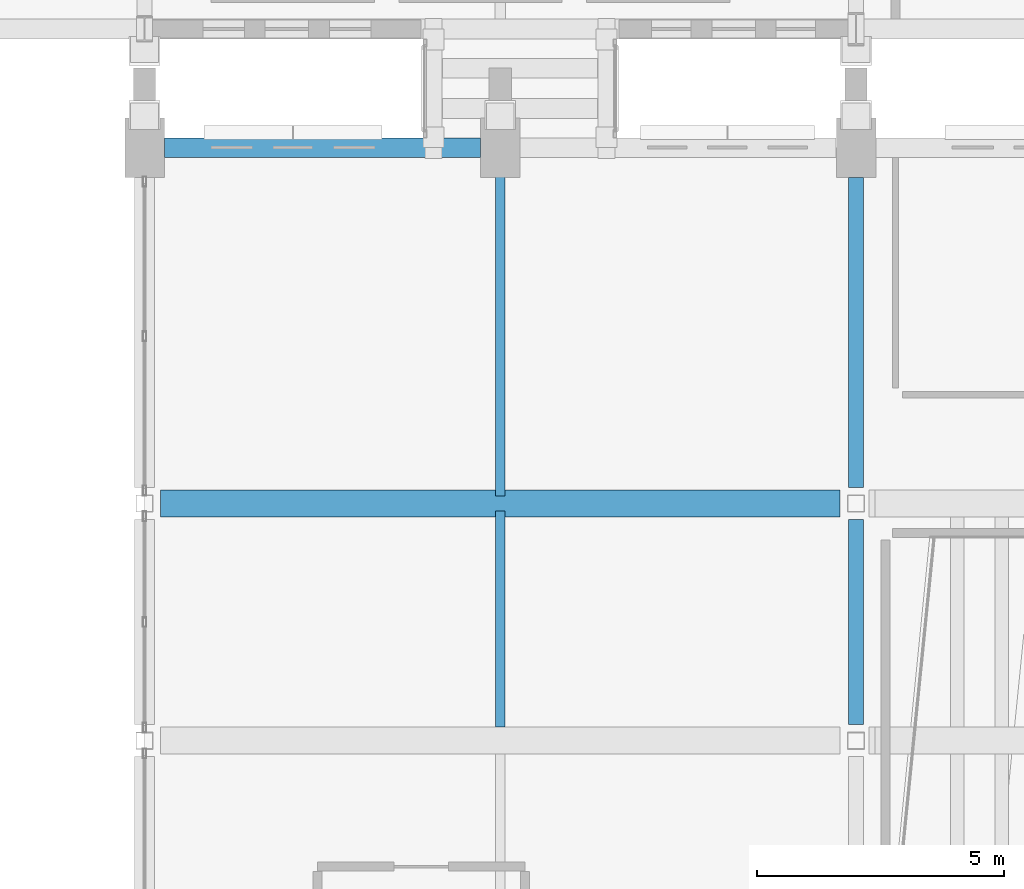
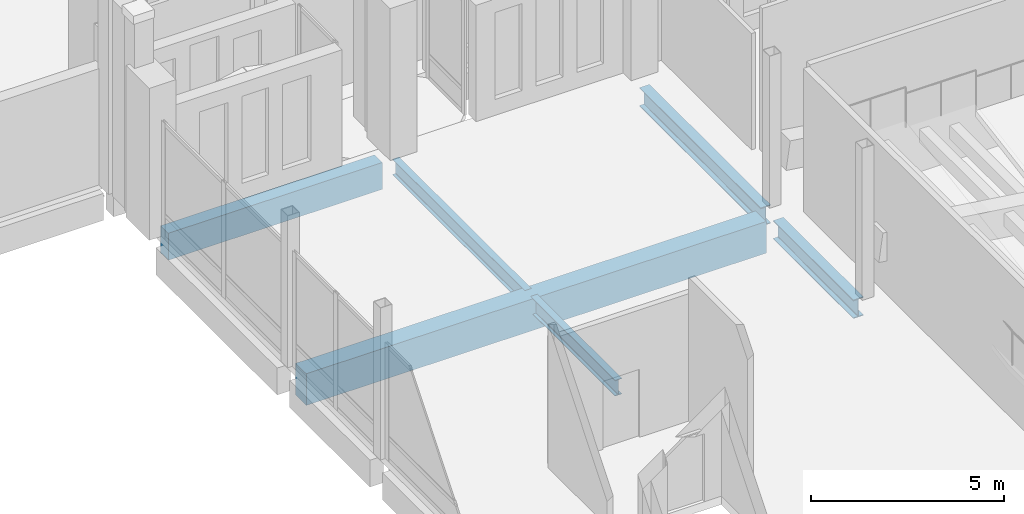
# One storey, part 86 of 193: 6 beams.
"""IFC4 building model written with IfcOpenShell, lengths in metres."""

import ifcopenshell
import ifcopenshell.guid

model = None  # the IFC model being written
_history = None  # IfcOwnerHistory: only IFC2X3 demands one
_inside = {}  # id of a spatial element -> (the spatial element, [elements in it])
_under = {}  # id of a project, library or spatial element -> (it, [spatial elements below it])
_declared = {}  # id of a project -> (the project, [libraries it declares])
_typed = {}  # id of a type object -> (the type object, [elements of that type])
_made_of = {}  # id of a material, layer set ... -> (it, [elements and type objects made of it])


def new_model(schema):
    """Start an empty IFC model of exactly this schema.

    Asked for "IFC4X3", IfcOpenShell would pick the latest addendum, in which some entities
    have other attributes; the version numbers below select the first issue.
    IFC2X3 requires an IfcOwnerHistory on every rooted entity: one is made here for all.
    """
    global model, _history
    if schema == "IFC4X3":
        model = ifcopenshell.file(schema_version=(4, 3, 0, 0))
    else:
        model = ifcopenshell.file(schema=schema)
    _inside.clear()
    _under.clear()
    _declared.clear()
    _typed.clear()
    _made_of.clear()
    _history = None
    if model.schema == "IFC2X3":
        org = make("IfcOrganization", Name="unknown")
        user = make(
            "IfcPersonAndOrganization",
            ThePerson=make("IfcPerson", FamilyName="unknown"),
            TheOrganization=org,
        )
        app = make(
            "IfcApplication",
            ApplicationDeveloper=org,
            Version="unknown",
            ApplicationFullName="unknown",
            ApplicationIdentifier="unknown",
        )
        _history = make(
            "IfcOwnerHistory",
            OwningUser=user,
            OwningApplication=app,
            ChangeAction="ADDED",
            CreationDate=0,
        )
    return model


def make(cls, **values):
    """One entity of the class cls with the attributes given. An attribute that is None is left unset."""
    return model.create_entity(
        cls, **{name: value for name, value in values.items() if value is not None}
    )


def rooted(cls, **values):
    """An entity with a GlobalId (a new one), such as an element, a storey or a relation."""
    return make(cls, GlobalId=ifcopenshell.guid.new(), OwnerHistory=_history, **values)


def si_unit(unit_type, name, prefix=None):
    """IfcSIUnit, for example si_unit("LENGTHUNIT", "METRE", prefix="MILLI")."""
    return make("IfcSIUnit", UnitType=unit_type, Prefix=prefix, Name=name)


def assignment(units):
    """IfcUnitAssignment: the units of a project."""
    return None if units is None else make("IfcUnitAssignment", Units=units)


def point(xyz):
    """IfcCartesianPoint."""
    return None if xyz is None else make("IfcCartesianPoint", Coordinates=xyz)


def direction(xyz):
    """IfcDirection."""
    return None if xyz is None else make("IfcDirection", DirectionRatios=xyz)


def frame(location, z_axis=None, x_axis=None):
    """IfcAxis2Placement3D, a coordinate frame: its origin and axes. An axis left out is left unset."""
    return make(
        "IfcAxis2Placement3D",
        Location=point(location),
        Axis=direction(z_axis),
        RefDirection=direction(x_axis),
    )


def frame_2d(location, x_axis=None):
    """IfcAxis2Placement2D, a coordinate frame in the plane: its origin and x axis."""
    return make(
        "IfcAxis2Placement2D", Location=point(location), RefDirection=direction(x_axis)
    )


def origin():
    """The frame at (0, 0, 0) with its axes left unset."""
    return frame((0.0, 0.0, 0.0))


def origin_2d():
    """The frame at (0, 0) in the plane with its x axis left unset."""
    return frame_2d((0.0, 0.0))


def place(relative_to, where):
    """IfcLocalPlacement: puts the frame where relative to a parent placement (None: the world)."""
    return make(
        "IfcLocalPlacement", PlacementRelTo=relative_to, RelativePlacement=where
    )


def context(
    kind, dimensions, precision=None, world=None, true_north=None, identifier=None
):
    """IfcGeometricRepresentationContext, for example the 3D "Model" context."""
    return make(
        "IfcGeometricRepresentationContext",
        ContextIdentifier=identifier,
        ContextType=kind,
        CoordinateSpaceDimension=dimensions,
        Precision=precision,
        WorldCoordinateSystem=world,
        TrueNorth=true_north,
    )


def subcontext(parent, identifier, kind, view, scale=None):
    """IfcGeometricRepresentationSubContext, for example "Body" below "Model"."""
    return make(
        "IfcGeometricRepresentationSubContext",
        ContextIdentifier=identifier,
        ContextType=kind,
        ParentContext=parent,
        TargetScale=scale,
        TargetView=view,
    )


def project(units=None, contexts=None):
    """IfcProject with its units and contexts."""
    return rooted(
        "IfcProject",
        Name="project",
        RepresentationContexts=contexts,
        UnitsInContext=assignment(units),
    )


def spatial(cls, under=None, at=None, **own):
    """A site, building, storey or space (cls), placed at a placement, below another one or the project."""
    s = rooted(cls, ObjectPlacement=at, **own)
    if under is not None:
        _under.setdefault(under.id(), (under, []))[1].append(s)
    return s


def profile(cls, at=None, kind="AREA", **sizes):
    """A parametric profile (cls). Its sizes go by their IFC names, for example OverallWidth=200.0."""
    return make(cls, ProfileType=kind, Position=at, **sizes)


def rectangle(**sizes):
    """IfcRectangleProfileDef."""
    return profile("IfcRectangleProfileDef", **sizes)


def i_section(**sizes):
    """IfcIShapeProfileDef."""
    return profile("IfcIShapeProfileDef", **sizes)


def extrude(swept, where, along, depth):
    """IfcExtrudedAreaSolid: the profile swept, set in the frame where, extruded along a direction by depth."""
    return make(
        "IfcExtrudedAreaSolid",
        SweptArea=swept,
        Position=where,
        ExtrudedDirection=direction(along),
        Depth=depth,
    )


def shape(context_of_items, identifier, shape_type, items):
    """IfcShapeRepresentation: the items that make up one representation, for example the "Body"."""
    return make(
        "IfcShapeRepresentation",
        ContextOfItems=context_of_items,
        RepresentationIdentifier=identifier,
        RepresentationType=shape_type,
        Items=items,
    )


def material(Name=None, Category=None):
    """IfcMaterial."""
    return make("IfcMaterial", Name=Name, Category=Category)


def material_profile(
    of_material, cross_section, Name=None, Category=None, Priority=None
):
    """IfcMaterialProfile: a cross section and its material."""
    return make(
        "IfcMaterialProfile",
        Name=Name,
        Material=of_material,
        Profile=cross_section,
        Priority=Priority,
        Category=Category,
    )


def profile_set(profiles, Name=None, composite=None):
    """IfcMaterialProfileSet."""
    return make(
        "IfcMaterialProfileSet",
        Name=Name,
        MaterialProfiles=profiles,
        CompositeProfile=composite,
    )


def made_of(thing, what):
    """Note that an element or type object is made of a material, layer set ...; save() writes the relation."""
    if what is not None:
        _made_of.setdefault(what.id(), (what, []))[1].append(thing)
    return thing


def type_object(cls, material=None, **own):
    """A type object (cls), such as IfcWallType, which elements share."""
    return made_of(rooted(cls, **own), material)


def element(
    cls,
    number,
    at=None,
    inside=None,
    cuts=None,
    type_object=None,
    material=None,
    context=None,
    identifier="Body",
    shape_type=None,
    held_by="IfcProductDefinitionShape",
    body=None,
    shapes=None,
    **own,
):
    """One element of the class cls, such as IfcWall. Its Tag is "e" and its number.

    at: its placement. inside: the storey or other place that contains it. cuts: it is an
    opening in that element (IfcRelVoidsElement). A single representation is given by context,
    identifier, shape_type and body (its items); several are given by shapes. held_by: the class
    of the entity that holds the representations. save() writes the other relations.
    """
    e = rooted(cls, Tag="e%d" % number, ObjectPlacement=at, **own)
    if body is not None:
        shapes = [shape(context, identifier, shape_type, body)]
    if shapes is not None:
        e.Representation = make(held_by, Representations=shapes)
    if inside is not None:
        _inside.setdefault(inside.id(), (inside, []))[1].append(e)
    if cuts is not None:
        rooted(
            "IfcRelVoidsElement", RelatingBuildingElement=cuts, RelatedOpeningElement=e
        )
    if type_object is not None:
        _typed.setdefault(type_object.id(), (type_object, []))[1].append(e)
    return made_of(e, material)


def aggregate(whole, parts):
    """IfcRelAggregates: a whole, such as a stair, and the parts it consists of."""
    return rooted("IfcRelAggregates", RelatingObject=whole, RelatedObjects=parts)


def save(model, path):
    """Write the relations noted so far, then the file.

    IfcRelAggregates (storeys below a building ...), IfcRelContainedInSpatialStructure (elements
    in a storey), IfcRelDefinesByType, IfcRelAssociatesMaterial and IfcRelDeclares: one each for
    every whole, place, type object, material and project.
    """
    for whole, parts in _under.values():
        aggregate(whole, parts)
    for where, things in _inside.values():
        rooted(
            "IfcRelContainedInSpatialStructure",
            RelatedElements=things,
            RelatingStructure=where,
        )
    for kind, things in _typed.values():
        rooted("IfcRelDefinesByType", RelatedObjects=things, RelatingType=kind)
    for what, things in _made_of.values():
        rooted("IfcRelAssociatesMaterial", RelatedObjects=things, RelatingMaterial=what)
    for by, libraries in _declared.values():
        rooted("IfcRelDeclares", RelatingContext=by, RelatedDefinitions=libraries)
    model.write(path)


model = new_model("IFC4")

# Units and contexts
model_context = context("Model", 3, precision=1e-05, world=origin(), true_north=direction((0.0, 1.0)))
body_context = subcontext(model_context, "Body", "Model", "MODEL_VIEW")
ifc_project = project(units=[si_unit("LENGTHUNIT", "METRE"), si_unit("AREAUNIT", "SQUARE_METRE"), si_unit("VOLUMEUNIT", "CUBIC_METRE"), si_unit("PLANEANGLEUNIT", "RADIAN"), si_unit("MASSUNIT", "GRAM", prefix="KILO")], contexts=[model_context])

# Site, building, storey
site_placement = place(None, origin())
site = spatial("IfcSite", under=ifc_project, at=site_placement, CompositionType="ELEMENT")
building_placement = place(site_placement, origin())
building = spatial("IfcBuilding", under=site, at=building_placement, Name="Cendralis Lancet Convention Centre", CompositionType="ELEMENT")
storey_placement = place(building_placement, frame((0.0, 0.0, 10.199951171875)))
storey = spatial("IfcBuildingStorey", under=building, at=storey_placement, Name="L02", CompositionType="ELEMENT", Elevation=10.199951171875)

# Beams
ifc_material_1 = material(Name="Concrete G40 (C40/50)", Category="concrete")
ifc_material_profile_1 = material_profile(ifc_material_1, rectangle(XDim=0.550048828125, YDim=1.0, at=origin_2d()), Name="RCB 550x1000")
ifc_profile_set_1 = profile_set([ifc_material_profile_1], Name="Concrete G40 (C40/50)")
beam_type_1 = type_object("IfcBeamType", Name="STR-BM-BG05", PredefinedType="BEAM", material=ifc_profile_set_1)
beam_1_placement = place(storey_placement, frame((139.52490234375, 84.0, -0.800048828125), z_axis=(1.0, 0.0, 0.0), x_axis=(0.0, 1.0, 0.0)))
element("IfcBeam", 1, at=beam_1_placement, inside=storey, type_object=beam_type_1, Name="L02 Beam BG05 #1474", PredefinedType="BEAM", context=body_context, shape_type="SweptSolid", body=[
    extrude(rectangle(XDim=0.550048828125, YDim=1.0, at=origin_2d()), origin(), (0.0, 0.0, 1.0), 13.75),
])
ifc_material_2 = material(Name="Steel S355", Category="steel")
ifc_material_profile_2 = material_profile(ifc_material_2, i_section(OverallWidth=0.300048828125, OverallDepth=0.590087890625, WebThickness=0.012939453125, FlangeThickness=0.02490234375, FilletRadius=0.027099609375, at=origin_2d()), Name="HEA 600")
ifc_profile_set_2 = profile_set([ifc_material_profile_2], Name="Steel S355")
beam_type_2 = type_object("IfcBeamType", Name="STR-BM-SG10", PredefinedType="BEAM", material=ifc_profile_set_2)
beam_2_placement = place(storey_placement, frame((153.60009765625, 79.52490234375, -0.594970703125), z_axis=(0.0, 1.0, 0.0), x_axis=(-1.0, 0.0, 0.0)))
element("IfcBeam", 2, at=beam_2_placement, inside=storey, type_object=beam_type_2, Name="L02 Beam SG10 #1485", PredefinedType="BEAM", context=body_context, shape_type="SweptSolid", body=[
    extrude(i_section(OverallWidth=0.300048828125, OverallDepth=0.590087890625, WebThickness=0.012939453125, FlangeThickness=0.02490234375, FilletRadius=0.027099609375, at=origin_2d()), origin(), (0.0, 0.0, 1.0), 4.150146484375),
])
beam_3_placement = place(storey_placement, frame((153.60009765625, 84.324951171875, -0.594970703125), z_axis=(0.0, 1.0, 0.0), x_axis=(-1.0, 0.0, 0.0)))
element("IfcBeam", 3, at=beam_3_placement, inside=storey, type_object=beam_type_2, Name="L02 Beam SG10 #1486", PredefinedType="BEAM", context=body_context, shape_type="SweptSolid", body=[
    extrude(i_section(OverallWidth=0.300048828125, OverallDepth=0.590087890625, WebThickness=0.012939453125, FlangeThickness=0.02490234375, FilletRadius=0.027099609375, at=origin_2d()), origin(), (0.0, 0.0, 1.0), 6.275146484375),
])
ifc_material_profile_3 = material_profile(ifc_material_2, i_section(OverallWidth=0.199951171875, OverallDepth=0.5, WebThickness=0.01025390625, FlangeThickness=0.01611328125, FilletRadius=0.02099609375, at=origin_2d()), Name="IPE 500")
ifc_profile_set_3 = profile_set([ifc_material_profile_3], Name="Steel S355")
beam_type_3 = type_object("IfcBeamType", Name="STR-JS-BJ06", PredefinedType="JOIST", material=ifc_profile_set_3)
beam_4_placement = place(storey_placement, frame((146.39990234375, 79.47509765625, -0.550048828125), z_axis=(0.0, 1.0, 0.0), x_axis=(-1.0, 0.0, 0.0)))
element("IfcBeam", 4, at=beam_4_placement, inside=storey, type_object=beam_type_3, Name="L02 Beam BJ06 #1499", PredefinedType="JOIST", context=body_context, shape_type="SweptSolid", body=[
    extrude(i_section(OverallWidth=0.199951171875, OverallDepth=0.5, WebThickness=0.01025390625, FlangeThickness=0.01611328125, FilletRadius=0.02099609375, at=origin_2d()), origin(), (0.0, 0.0, 1.0), 4.375),
])
beam_5_placement = place(storey_placement, frame((146.39990234375, 84.14990234375, -0.550048828125), z_axis=(0.0, 1.0, 0.0), x_axis=(-1.0, 0.0, 0.0)))
element("IfcBeam", 5, at=beam_5_placement, inside=storey, type_object=beam_type_3, Name="L02 Beam BJ06 #1500", PredefinedType="JOIST", context=body_context, shape_type="SweptSolid", body=[
    extrude(i_section(OverallWidth=0.199951171875, OverallDepth=0.5, WebThickness=0.01025390625, FlangeThickness=0.01611328125, FilletRadius=0.02099609375, at=origin_2d()), origin(), (0.0, 0.0, 1.0), 6.85009765625),
])
ifc_material_profile_4 = material_profile(ifc_material_1, rectangle(XDim=0.39990234375, YDim=0.85009765625, at=origin_2d()), Name="RCB 400x850")
ifc_profile_set_4 = profile_set([ifc_material_profile_4], Name="Concrete G40 (C40/50)")
beam_type_4 = type_object("IfcBeamType", Name="STR-SP-SP02", PredefinedType="SPANDREL", material=ifc_profile_set_4)
beam_6_placement = place(storey_placement, frame((139.60009765625, 91.199951171875, -0.724853515625), z_axis=(1.0, 0.0, 0.0), x_axis=(0.0, 1.0, 0.0)))
element("IfcBeam", 6, at=beam_6_placement, inside=storey, type_object=beam_type_4, Name="L02 Beam SP02 #1458", PredefinedType="SPANDREL", context=body_context, shape_type="SweptSolid", body=[
    extrude(rectangle(XDim=0.39990234375, YDim=0.85009765625, at=origin_2d()), origin(), (0.0, 0.0, 1.0), 6.39990234375),
])

save(model, "model.ifc")
